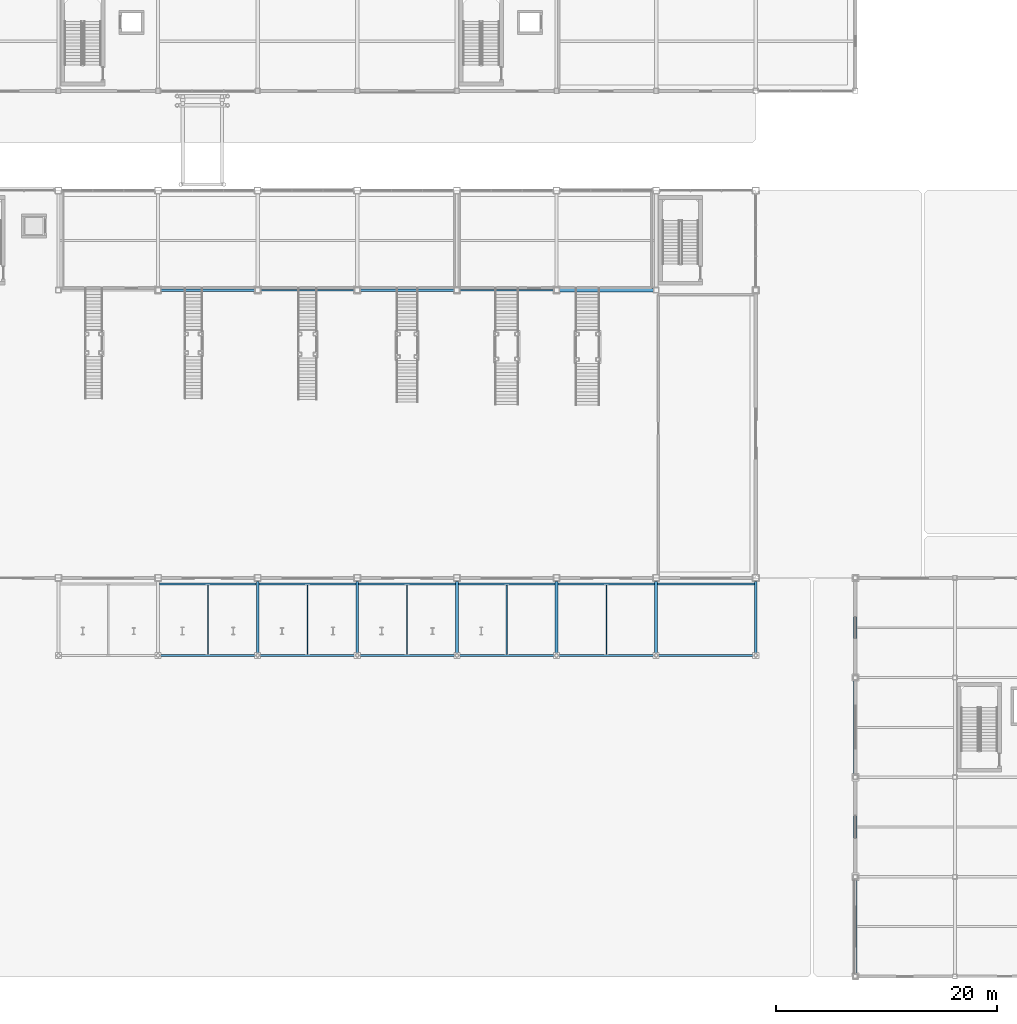
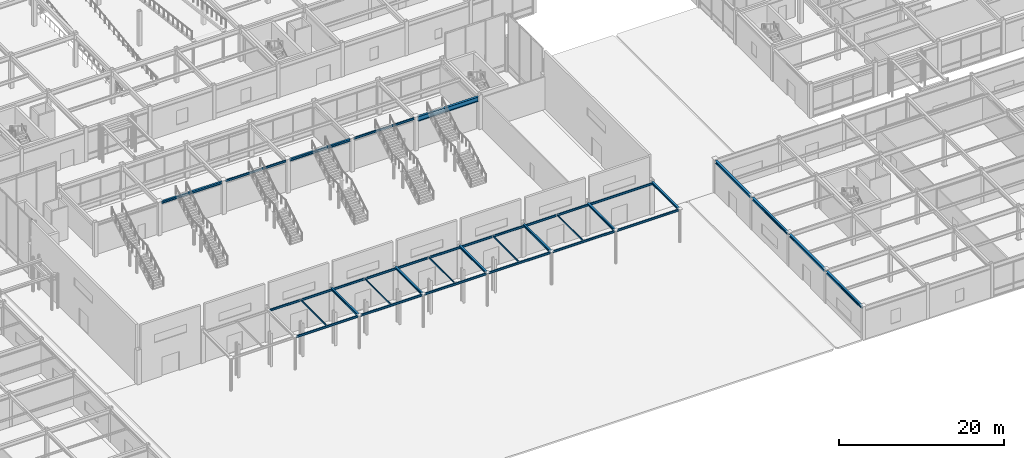
# One storey, part 36 of 123: 27 beams, 5 members.
"""IFC4 building model written with IfcOpenShell, lengths in metres."""

from ifc_helpers import new_model, si_unit, direction, frame, origin, origin_2d, place, context, subcontext, project, spatial, hollow_rectangle, i_section, extrude, material, material_profile, profile_set, type_object, element, save


model = new_model("IFC4")

# Units and contexts
model_context = context("Model", 3, precision=1e-05, world=origin(), true_north=direction((0.0, 1.0)))
body_context = subcontext(model_context, "Body", "Model", "MODEL_VIEW")
ifc_project = project(units=[si_unit("LENGTHUNIT", "METRE"), si_unit("AREAUNIT", "SQUARE_METRE"), si_unit("VOLUMEUNIT", "CUBIC_METRE"), si_unit("PLANEANGLEUNIT", "RADIAN"), si_unit("MASSUNIT", "GRAM", prefix="KILO")], contexts=[model_context])

# Site, building, storey
site_placement = place(None, origin())
site = spatial("IfcSite", under=ifc_project, at=site_placement, CompositionType="ELEMENT")
building_placement = place(site_placement, origin())
building = spatial("IfcBuilding", under=site, at=building_placement, Name="Suzunagisa Mobility Hub", CompositionType="ELEMENT")
storey_placement = place(building_placement, origin())
storey = spatial("IfcBuildingStorey", under=building, at=storey_placement, Name="L00", CompositionType="ELEMENT", Elevation=0.0)

# Members
ifc_material_1 = material(Name="Steel SN400B", Category="steel")
ifc_material_profile_1 = material_profile(ifc_material_1, hollow_rectangle(XDim=0.10009765625, YDim=0.199951171875, WallThickness=0.009033203125, at=origin_2d()), Name="RHS-200x100x9")
ifc_profile_set_1 = profile_set([ifc_material_profile_1], Name="Steel SN400B")
member_type = type_object("IfcMemberType", Name="Roof Truss and Brace Member MB-04 RHS-200x100x9", PredefinedType="PURLIN", material=ifc_profile_set_1)
for number, where, z_axis, x_axis, name in (
    (1, (67.5, 29.080078125, 4.840087890625), (0.0, 1.0, 0.0), (-1.0, 0.0, 0.0), "L00 Entrance Canopy Purlin CP-2"),
    (2, (76.5, 29.080078125, 4.840087890625), (0.0, 1.0, 0.0), (-1.0, 0.0, 0.0), "L00 Entrance Canopy Purlin CP-3"),
    (3, (85.5, 29.080078125, 4.840087890625), (0.0, 1.0, 0.0), (-1.0, 0.0, 0.0), "L00 Entrance Canopy Purlin CP-4"),
    (4, (94.5, 29.080078125, 4.840087890625), (0.0, 1.0, 0.0), (-1.0, 0.0, 0.0), "L00 Entrance Canopy Purlin CP-5"),
    (5, (103.5, 29.080078125, 4.840087890625), (0.0, 1.0, 0.0), (-1.0, 0.0, 0.0), "L00 Entrance Canopy Purlin CP-6"),
):
    element("IfcMember", number, at=place(storey_placement, frame(where, z_axis=z_axis, x_axis=x_axis)), inside=storey, type_object=member_type, Name=name, PredefinedType="PURLIN", context=body_context, shape_type="SweptSolid", body=[
        extrude(hollow_rectangle(XDim=0.10009765625, YDim=0.199951171875, WallThickness=0.009033203125, at=origin_2d()), origin(), (0.0, 0.0, 1.0), 6.2900390625),
    ])

# Beams
ifc_material_profile_2 = material_profile(ifc_material_1, i_section(OverallWidth=0.25, OverallDepth=0.340087890625, WebThickness=0.009033203125, FlangeThickness=0.013916015625, FilletRadius=0.010009765625, at=origin_2d()), Name="H-340x250x9x14")
ifc_profile_set_2 = profile_set([ifc_material_profile_2], Name="Steel SN400B")
beam_type_1 = type_object("IfcBeamType", Name="Steel Beam BM-02 H-340x250x9x14", PredefinedType="SPANDREL", material=ifc_profile_set_2)
for number, where, z_axis, x_axis, name in (
    (6, (72.0, 29.159912109375, 4.77001953125), (0.0, 1.0, 0.0), (-1.0, 0.0, 0.0), "L00 Entrance Canopy Outrigger 2192"),
    (7, (81.0, 29.159912109375, 4.77001953125), (0.0, 1.0, 0.0), (-1.0, 0.0, 0.0), "L00 Entrance Canopy Outrigger 2193"),
    (8, (90.0, 29.159912109375, 4.77001953125), (0.0, 1.0, 0.0), (-1.0, 0.0, 0.0), "L00 Entrance Canopy Outrigger 2194"),
    (9, (99.0, 29.159912109375, 4.77001953125), (0.0, 1.0, 0.0), (-1.0, 0.0, 0.0), "L00 Entrance Canopy Outrigger 2195"),
    (10, (108.0, 29.159912109375, 4.77001953125), (0.0, 1.0, 0.0), (-1.0, 0.0, 0.0), "L00 Entrance Canopy Outrigger 2196"),
    (11, (117.0, 29.159912109375, 4.77001953125), (0.0, 1.0, 0.0), (-1.0, 0.0, 0.0), "L00 Entrance Canopy Outrigger 2197"),
):
    element("IfcBeam", number, at=place(storey_placement, frame(where, z_axis=z_axis, x_axis=x_axis)), inside=storey, type_object=beam_type_1, Name=name, PredefinedType="SPANDREL", context=body_context, shape_type="SweptSolid", body=[
        extrude(i_section(OverallWidth=0.25, OverallDepth=0.340087890625, WebThickness=0.009033203125, FlangeThickness=0.013916015625, FilletRadius=0.010009765625, at=origin_2d()), origin(), (0.0, 0.0, 1.0), 6.5400390625),
    ])
ifc_material_profile_3 = material_profile(ifc_material_1, i_section(OverallWidth=0.14990234375, OverallDepth=0.300048828125, WebThickness=0.006591796875, FlangeThickness=0.009033203125, FilletRadius=0.008056640625, at=origin_2d()), Name="H-300x150x6.5x9")
ifc_profile_set_3 = profile_set([ifc_material_profile_3], Name="Steel SN400B")
beam_type_2 = type_object("IfcBeamType", Name="Steel Beam BM-08 H-300x150x6.5x9", PredefinedType="LINTEL", material=ifc_profile_set_3)
for number, where, z_axis, x_axis, name in (
    (12, (72.24609375, 62.0, 4.699951171875), (1.0, 0.0, 0.0), (0.0, 1.0, 0.0), "L00 Primary Girder GX-390"),
    (13, (90.24609375, 62.0, 4.699951171875), (1.0, 0.0, 0.0), (0.0, 1.0, 0.0), "L00 Primary Girder GX-392"),
):
    element("IfcBeam", number, at=place(storey_placement, frame(where, z_axis=z_axis, x_axis=x_axis)), inside=storey, type_object=beam_type_2, Name=name, PredefinedType="LINTEL", context=body_context, shape_type="SweptSolid", body=[
        extrude(i_section(OverallWidth=0.14990234375, OverallDepth=0.300048828125, WebThickness=0.006591796875, FlangeThickness=0.009033203125, FilletRadius=0.008056640625, at=origin_2d()), origin(), (0.0, 0.0, 1.0), 8.5078125),
    ])
ifc_material_2 = material(Name="Steel SN490B", Category="steel")
ifc_material_profile_4 = material_profile(ifc_material_2, i_section(OverallWidth=0.300048828125, OverallDepth=0.699951171875, WebThickness=0.012939453125, FlangeThickness=0.02392578125, FilletRadius=0.01806640625, at=origin_2d()), Name="H-700x300x13x24")
ifc_profile_set_4 = profile_set([ifc_material_profile_4], Name="Steel SN490B")
beam_type_3 = type_object("IfcBeamType", Name="Steel Beam BM-11 H-700x300x13x24", PredefinedType="BEAM", material=ifc_profile_set_4)
beam_1_placement = place(storey_placement, frame((99.24609375, 62.0, 4.5), z_axis=(1.0, 0.0, 0.0), x_axis=(0.0, 1.0, 0.0)))
element("IfcBeam", 14, at=beam_1_placement, inside=storey, type_object=beam_type_3, Name="L00 Primary Girder GX-393", PredefinedType="BEAM", context=body_context, shape_type="SweptSolid", body=[
    extrude(i_section(OverallWidth=0.300048828125, OverallDepth=0.699951171875, WebThickness=0.012939453125, FlangeThickness=0.02392578125, FilletRadius=0.01806640625, at=origin_2d()), origin(), (0.0, 0.0, 1.0), 8.5078125),
])
ifc_material_profile_5 = material_profile(ifc_material_2, i_section(OverallWidth=0.300048828125, OverallDepth=0.389892578125, WebThickness=0.010009765625, FlangeThickness=0.01611328125, FilletRadius=0.012939453125, at=origin_2d()), Name="H-390x300x10x16")
ifc_profile_set_5 = profile_set([ifc_material_profile_5], Name="Steel SN490B")
beam_type_4 = type_object("IfcBeamType", Name="Steel Beam BM-13 H-390x300x10x16", PredefinedType="SPANDREL", material=ifc_profile_set_5)
for number, where, z_axis, x_axis, name in (
    (15, (126.0, 0.196044921875, 4.64501953125), (0.0, 1.0, 0.0), (-1.0, 0.0, 0.0), "L00 Primary Girder GY-1462"),
    (16, (126.0, 9.196044921875, 4.64501953125), (0.0, 1.0, 0.0), (-1.0, 0.0, 0.0), "L00 Primary Girder GY-1463"),
    (17, (126.0, 18.196044921875, 4.64501953125), (0.0, 1.0, 0.0), (-1.0, 0.0, 0.0), "L00 Primary Girder GY-1464"),
    (18, (126.0, 27.196044921875, 4.64501953125), (0.0, 1.0, 0.0), (-1.0, 0.0, 0.0), "L00 Primary Girder GY-1465"),
):
    element("IfcBeam", number, at=place(storey_placement, frame(where, z_axis=z_axis, x_axis=x_axis)), inside=storey, type_object=beam_type_4, Name=name, PredefinedType="SPANDREL", context=body_context, shape_type="SweptSolid", body=[
        extrude(i_section(OverallWidth=0.300048828125, OverallDepth=0.389892578125, WebThickness=0.010009765625, FlangeThickness=0.01611328125, FilletRadius=0.012939453125, at=origin_2d()), origin(), (0.0, 0.0, 1.0), 8.60791015625),
    ])
ifc_material_profile_6 = material_profile(ifc_material_1, i_section(OverallWidth=0.25, OverallDepth=0.340087890625, WebThickness=0.009033203125, FlangeThickness=0.013916015625, FilletRadius=0.010009765625, at=origin_2d()), Name="H-340x250x9x14")
ifc_profile_set_6 = profile_set([ifc_material_profile_6], Name="Steel SN400B")
beam_type_5 = type_object("IfcBeamType", Name="Steel Beam BM-23 H-340x250x9x14", PredefinedType="LINTEL", material=ifc_profile_set_6)
for number, where, z_axis, x_axis, name in (
    (19, (63.24609375, 62.0, 4.679931640625), (1.0, 0.0, 0.0), (0.0, 1.0, 0.0), "L00 Primary Girder GX-389"),
    (20, (81.24609375, 62.0, 4.679931640625), (1.0, 0.0, 0.0), (0.0, 1.0, 0.0), "L00 Primary Girder GX-391"),
):
    element("IfcBeam", number, at=place(storey_placement, frame(where, z_axis=z_axis, x_axis=x_axis)), inside=storey, type_object=beam_type_5, Name=name, PredefinedType="LINTEL", context=body_context, shape_type="SweptSolid", body=[
        extrude(i_section(OverallWidth=0.25, OverallDepth=0.340087890625, WebThickness=0.009033203125, FlangeThickness=0.013916015625, FilletRadius=0.010009765625, at=origin_2d()), origin(), (0.0, 0.0, 1.0), 8.5078125),
    ])
ifc_material_profile_7 = material_profile(ifc_material_1, i_section(OverallWidth=0.14990234375, OverallDepth=0.300048828125, WebThickness=0.006591796875, FlangeThickness=0.009033203125, FilletRadius=0.008056640625, at=origin_2d()), Name="H-300x150x6.5x9")
ifc_profile_set_7 = profile_set([ifc_material_profile_7], Name="Steel SN400B")
beam_type_6 = type_object("IfcBeamType", Name="Steel Beam BM-24 H-300x150x6.5x9", PredefinedType="JOIST", material=ifc_profile_set_7)
beam_2_placement = place(storey_placement, frame((63.159912109375, 29.0, 4.7900390625), z_axis=(1.0, 0.0, 0.0), x_axis=(0.0, 1.0, 0.0)))
element("IfcBeam", 21, at=beam_2_placement, inside=storey, type_object=beam_type_6, Name="L00 Entrance Canopy Fascia Beam 2200", PredefinedType="JOIST", context=body_context, shape_type="SweptSolid", body=[
    extrude(i_section(OverallWidth=0.14990234375, OverallDepth=0.300048828125, WebThickness=0.006591796875, FlangeThickness=0.009033203125, FilletRadius=0.008056640625, at=origin_2d()), origin(), (0.0, 0.0, 1.0), 8.68017578125),
])
beam_3_placement = place(storey_placement, frame((63.1298828125, 35.449951171875, 4.7900390625), z_axis=(1.0, 0.0, 0.0), x_axis=(0.0, 1.0, 0.0)))
element("IfcBeam", 22, at=beam_3_placement, inside=storey, type_object=beam_type_6, Name="L00 Entrance Canopy Ledger Beam 2201", PredefinedType="JOIST", context=body_context, shape_type="SweptSolid", body=[
    extrude(i_section(OverallWidth=0.14990234375, OverallDepth=0.300048828125, WebThickness=0.006591796875, FlangeThickness=0.009033203125, FilletRadius=0.008056640625, at=origin_2d()), origin(), (0.0, 0.0, 1.0), 8.740234375),
])
beam_4_placement = place(storey_placement, frame((72.159912109375, 29.0, 4.7900390625), z_axis=(1.0, 0.0, 0.0), x_axis=(0.0, 1.0, 0.0)))
element("IfcBeam", 23, at=beam_4_placement, inside=storey, type_object=beam_type_6, Name="L00 Entrance Canopy Fascia Beam 2202", PredefinedType="JOIST", context=body_context, shape_type="SweptSolid", body=[
    extrude(i_section(OverallWidth=0.14990234375, OverallDepth=0.300048828125, WebThickness=0.006591796875, FlangeThickness=0.009033203125, FilletRadius=0.008056640625, at=origin_2d()), origin(), (0.0, 0.0, 1.0), 8.68017578125),
])
beam_5_placement = place(storey_placement, frame((72.1298828125, 35.449951171875, 4.7900390625), z_axis=(1.0, 0.0, 0.0), x_axis=(0.0, 1.0, 0.0)))
element("IfcBeam", 24, at=beam_5_placement, inside=storey, type_object=beam_type_6, Name="L00 Entrance Canopy Ledger Beam 2203", PredefinedType="JOIST", context=body_context, shape_type="SweptSolid", body=[
    extrude(i_section(OverallWidth=0.14990234375, OverallDepth=0.300048828125, WebThickness=0.006591796875, FlangeThickness=0.009033203125, FilletRadius=0.008056640625, at=origin_2d()), origin(), (0.0, 0.0, 1.0), 8.740234375),
])
beam_6_placement = place(storey_placement, frame((81.159912109375, 29.0, 4.7900390625), z_axis=(1.0, 0.0, 0.0), x_axis=(0.0, 1.0, 0.0)))
element("IfcBeam", 25, at=beam_6_placement, inside=storey, type_object=beam_type_6, Name="L00 Entrance Canopy Fascia Beam 2204", PredefinedType="JOIST", context=body_context, shape_type="SweptSolid", body=[
    extrude(i_section(OverallWidth=0.14990234375, OverallDepth=0.300048828125, WebThickness=0.006591796875, FlangeThickness=0.009033203125, FilletRadius=0.008056640625, at=origin_2d()), origin(), (0.0, 0.0, 1.0), 8.68017578125),
])
beam_7_placement = place(storey_placement, frame((81.1298828125, 35.449951171875, 4.7900390625), z_axis=(1.0, 0.0, 0.0), x_axis=(0.0, 1.0, 0.0)))
element("IfcBeam", 26, at=beam_7_placement, inside=storey, type_object=beam_type_6, Name="L00 Entrance Canopy Ledger Beam 2205", PredefinedType="JOIST", context=body_context, shape_type="SweptSolid", body=[
    extrude(i_section(OverallWidth=0.14990234375, OverallDepth=0.300048828125, WebThickness=0.006591796875, FlangeThickness=0.009033203125, FilletRadius=0.008056640625, at=origin_2d()), origin(), (0.0, 0.0, 1.0), 8.740234375),
])
beam_8_placement = place(storey_placement, frame((90.159912109375, 29.0, 4.7900390625), z_axis=(1.0, 0.0, 0.0), x_axis=(0.0, 1.0, 0.0)))
element("IfcBeam", 27, at=beam_8_placement, inside=storey, type_object=beam_type_6, Name="L00 Entrance Canopy Fascia Beam 2206", PredefinedType="JOIST", context=body_context, shape_type="SweptSolid", body=[
    extrude(i_section(OverallWidth=0.14990234375, OverallDepth=0.300048828125, WebThickness=0.006591796875, FlangeThickness=0.009033203125, FilletRadius=0.008056640625, at=origin_2d()), origin(), (0.0, 0.0, 1.0), 8.68017578125),
])
beam_9_placement = place(storey_placement, frame((90.1298828125, 35.449951171875, 4.7900390625), z_axis=(1.0, 0.0, 0.0), x_axis=(0.0, 1.0, 0.0)))
element("IfcBeam", 28, at=beam_9_placement, inside=storey, type_object=beam_type_6, Name="L00 Entrance Canopy Ledger Beam 2207", PredefinedType="JOIST", context=body_context, shape_type="SweptSolid", body=[
    extrude(i_section(OverallWidth=0.14990234375, OverallDepth=0.300048828125, WebThickness=0.006591796875, FlangeThickness=0.009033203125, FilletRadius=0.008056640625, at=origin_2d()), origin(), (0.0, 0.0, 1.0), 8.740234375),
])
beam_10_placement = place(storey_placement, frame((99.159912109375, 29.0, 4.7900390625), z_axis=(1.0, 0.0, 0.0), x_axis=(0.0, 1.0, 0.0)))
element("IfcBeam", 29, at=beam_10_placement, inside=storey, type_object=beam_type_6, Name="L00 Entrance Canopy Fascia Beam 2208", PredefinedType="JOIST", context=body_context, shape_type="SweptSolid", body=[
    extrude(i_section(OverallWidth=0.14990234375, OverallDepth=0.300048828125, WebThickness=0.006591796875, FlangeThickness=0.009033203125, FilletRadius=0.008056640625, at=origin_2d()), origin(), (0.0, 0.0, 1.0), 8.68017578125),
])
beam_11_placement = place(storey_placement, frame((99.1298828125, 35.449951171875, 4.7900390625), z_axis=(1.0, 0.0, 0.0), x_axis=(0.0, 1.0, 0.0)))
element("IfcBeam", 30, at=beam_11_placement, inside=storey, type_object=beam_type_6, Name="L00 Entrance Canopy Ledger Beam 2209", PredefinedType="JOIST", context=body_context, shape_type="SweptSolid", body=[
    extrude(i_section(OverallWidth=0.14990234375, OverallDepth=0.300048828125, WebThickness=0.006591796875, FlangeThickness=0.009033203125, FilletRadius=0.008056640625, at=origin_2d()), origin(), (0.0, 0.0, 1.0), 8.740234375),
])
beam_12_placement = place(storey_placement, frame((108.159912109375, 29.0, 4.7900390625), z_axis=(1.0, 0.0, 0.0), x_axis=(0.0, 1.0, 0.0)))
element("IfcBeam", 31, at=beam_12_placement, inside=storey, type_object=beam_type_6, Name="L00 Entrance Canopy Fascia Beam 2210", PredefinedType="JOIST", context=body_context, shape_type="SweptSolid", body=[
    extrude(i_section(OverallWidth=0.14990234375, OverallDepth=0.300048828125, WebThickness=0.006591796875, FlangeThickness=0.009033203125, FilletRadius=0.008056640625, at=origin_2d()), origin(), (0.0, 0.0, 1.0), 8.68017578125),
])
beam_13_placement = place(storey_placement, frame((108.1298828125, 35.449951171875, 4.7900390625), z_axis=(1.0, 0.0, 0.0), x_axis=(0.0, 1.0, 0.0)))
element("IfcBeam", 32, at=beam_13_placement, inside=storey, type_object=beam_type_6, Name="L00 Entrance Canopy Ledger Beam 2211", PredefinedType="JOIST", context=body_context, shape_type="SweptSolid", body=[
    extrude(i_section(OverallWidth=0.14990234375, OverallDepth=0.300048828125, WebThickness=0.006591796875, FlangeThickness=0.009033203125, FilletRadius=0.008056640625, at=origin_2d()), origin(), (0.0, 0.0, 1.0), 8.740234375),
])

save(model, "model.ifc")
